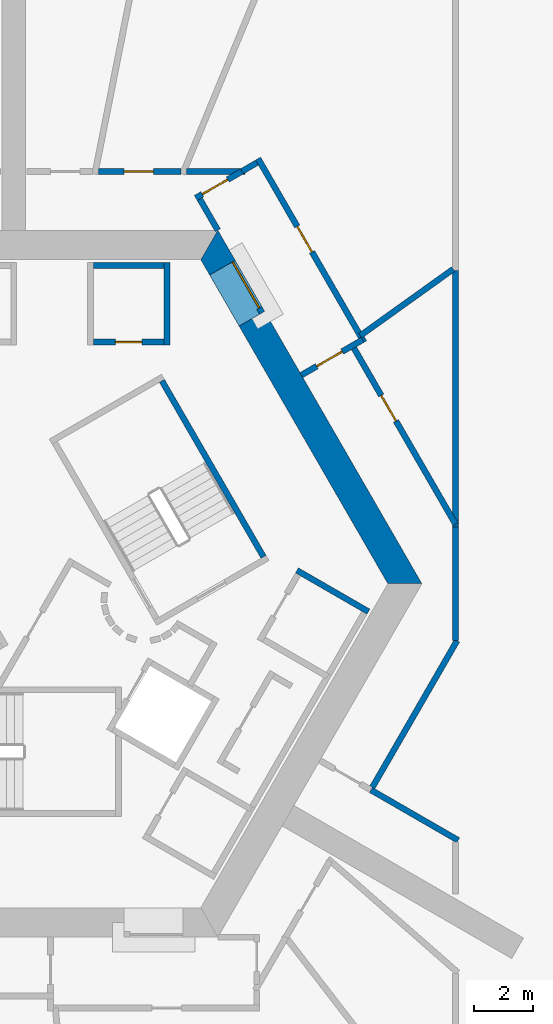
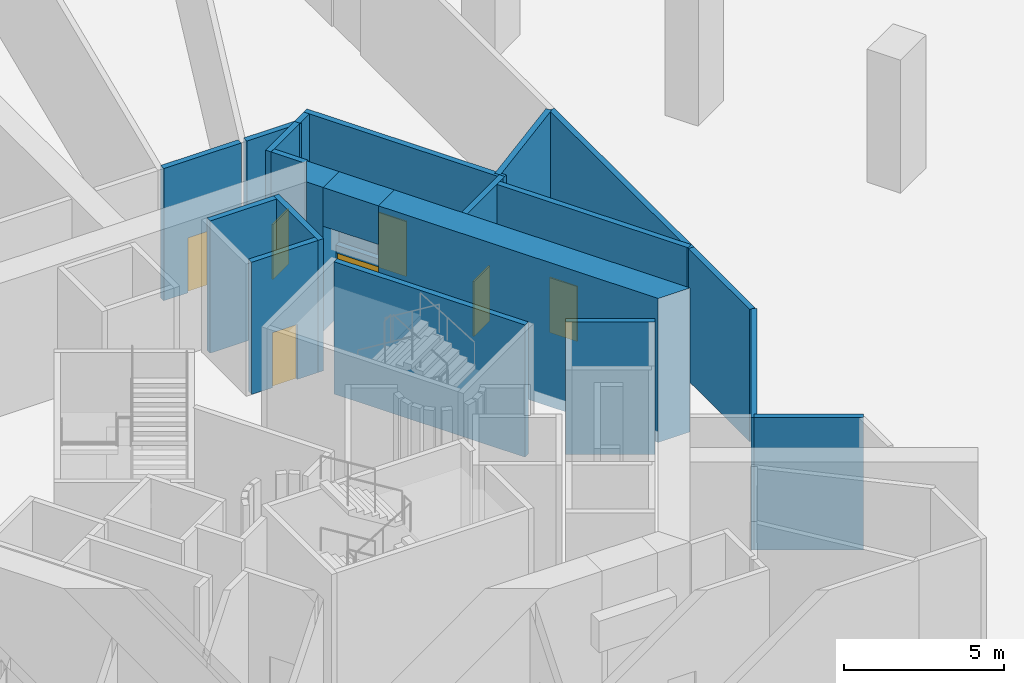
# One storey, part 6 of 12: 22 walls, 7 doors, 7 openings.
"""IFC4 building model written with IfcOpenShell, lengths in metres."""

from ifc_helpers import new_model, si_unit, direction, frame, frame_2d, origin, place, context, subcontext, project, spatial, polyline, rectangle, outline, extrude, material, layer, layer_set, type_object, element, fill, save


model = new_model("IFC4")

# Units and contexts
model_context = context("Model", 3, precision=1e-05, world=origin(), true_north=direction((0.0, 1.0)))
body_context = subcontext(model_context, "Body", "Model", "MODEL_VIEW")
ifc_project = project(units=[si_unit("LENGTHUNIT", "METRE"), si_unit("AREAUNIT", "SQUARE_METRE"), si_unit("VOLUMEUNIT", "CUBIC_METRE"), si_unit("PLANEANGLEUNIT", "RADIAN"), si_unit("MASSUNIT", "GRAM", prefix="KILO")], contexts=[model_context])

# Site, building, storey
site_placement = place(None, origin())
site = spatial("IfcSite", under=ifc_project, at=site_placement, CompositionType="ELEMENT")
building_placement = place(site_placement, origin())
building = spatial("IfcBuilding", under=site, at=building_placement, Name="Entoto Arch Interchange Tower", CompositionType="ELEMENT")
storey_placement = place(building_placement, frame((0.0, 0.0, -11.0)))
storey = spatial("IfcBuildingStorey", under=building, at=storey_placement, Name="B2", CompositionType="ELEMENT", Elevation=-11.0)

# Wall, opening, door
ifc_material_1 = material(Name="Reinforced concrete C40/50", Category="concrete")
ifc_layer_1 = layer(ifc_material_1, 0.199951171875)
ifc_layer_set_1 = layer_set([ifc_layer_1], Name="Reinforced concrete C40/50")
wall_type_1 = type_object("IfcWallType", Name="CORE GAP INFILL WALL", PredefinedType="PARTITIONING", material=ifc_layer_set_1)
wall_1_placement = place(storey_placement, frame((8.429931640625, 11.697998046875, 0.0), z_axis=(0.0, 0.0, 1.0), x_axis=(-0.50002537861, 0.866010750942, 0.0)))
wall_1 = element("IfcWall", 1, at=wall_1_placement, inside=storey, type_object=wall_type_1, Name="wall:B2:gap2", PredefinedType="PARTITIONING", context=body_context, shape_type="SweptSolid", body=[
    extrude(rectangle(XDim=2.0, YDim=0.199951171875, at=frame_2d((1.0, 0.0))), origin(), (0.0, 0.0, 1.0), 2.39990234375),
])
opening_1_placement = place(wall_1_placement, frame((0.18994140625, 0.0, 0.0)))
opening_1 = element("IfcOpeningElement", 2, at=opening_1_placement, cuts=wall_1, Name="Opening B2-D92", PredefinedType="OPENING", context=body_context, shape_type="SweptSolid", body=[
    extrude(rectangle(XDim=1.800048828125, YDim=2.10009765625, at=frame_2d((0.89990234375, 1.050048828125))), frame((0.0, 0.10986328125, 0.0), z_axis=(0.0, -1.0, 0.0), x_axis=(1.0, 0.0, 0.0)), (0.0, 0.0, 1.0), 0.219970703125),
])
ifc_material_2 = material(Name="Fire-rated Steel S235 door and frame", Category="steel")
door_type_1 = type_object("IfcDoorType", Name="DOOR FD-18 1800x2100", OperationType="DOUBLE_DOOR_SINGLE_SWING", PredefinedType="DOOR", material=ifc_material_2)
door_1_placement = place(opening_1_placement, origin())
door_1 = element("IfcDoor", 3, at=door_1_placement, inside=storey, type_object=door_type_1, Name="door:B2:gap2", OperationType="DOUBLE_DOOR_SINGLE_SWING", OverallHeight=2.10009765625, OverallWidth=1.800048828125, PredefinedType="DOOR", context=body_context, shape_type="SweptSolid", body=[
    extrude(rectangle(XDim=1.800048828125, YDim=2.10009765625, at=frame_2d((0.89990234375, 1.050048828125))), frame((0.0, 0.02490234375, 0.0), z_axis=(0.0, -1.0, 0.0), x_axis=(1.0, 0.0, 0.0)), (0.0, 0.0, 1.0), 0.050048828125),
])
fill(opening_1, door_1)

# Walls
ifc_material_3 = material(Name="Concrete C60/75", Category="concrete")
ifc_layer_2 = layer(ifc_material_3, 1.0)
ifc_layer_set_2 = layer_set([ifc_layer_2], Name="Concrete C60/75")
wall_type_2 = type_object("IfcWallType", Name="Core wall 1000 C60/75", PredefinedType="SHEAR", material=ifc_layer_set_2)
wall_2_placement = place(storey_placement, frame((0.0, 0.0, -0.419921875)))
element("IfcWall", 4, at=wall_2_placement, inside=storey, type_object=wall_type_2, Name="Core wall NE B2", PredefinedType="SHEAR", context=body_context, shape_type="SweptSolid", body=[
    extrude(outline(polyline([(8.51708984375, 11.748046875), (7.65087890625, 11.248046875), (12.701904296875, 2.5), (13.85595703125, 2.5), (8.51708984375, 11.748046875)])), origin(), (0.0, 0.0, 1.0), 5.5),
])
wall_3_placement = place(storey_placement, frame((0.0, 0.0, -0.419921875)))
element("IfcWall", 5, at=wall_3_placement, inside=storey, type_object=wall_type_2, Name="Core wall NE B2", PredefinedType="SHEAR", context=body_context, shape_type="SweptSolid", body=[
    extrude(outline(polyline([(6.65087890625, 12.97998046875), (7.51708984375, 13.47998046875), (6.927978515625, 14.5), (6.35107421875, 13.5), (6.65087890625, 12.97998046875)])), origin(), (0.0, 0.0, 1.0), 5.5),
])
wall_4_placement = place(storey_placement, frame((0.0, 0.0, 3.60009765625)))
element("IfcWall", 6, at=wall_4_placement, inside=storey, type_object=wall_type_2, Name="Core wall lintel NE B2", PredefinedType="SHEAR", context=body_context, shape_type="SweptSolid", body=[
    extrude(outline(polyline([(7.51708984375, 13.47998046875), (6.65087890625, 12.97998046875), (7.65087890625, 11.248046875), (8.51708984375, 11.748046875), (7.51708984375, 13.47998046875)])), origin(), (0.0, 0.0, 1.0), 1.47998046875),
])
ifc_material_4 = material(Name="Gypsum board partition on steel studs", Category="steel")
ifc_layer_3 = layer(ifc_material_4, 0.199951171875)
ifc_layer_set_3 = layer_set([ifc_layer_3], Name="Gypsum board partition on steel studs")
wall_type_3 = type_object("IfcWallType", Name="PARTITION 200", PredefinedType="PARTITIONING", material=ifc_layer_set_3)
wall_5_placement = place(storey_placement, frame((12.1240234375, -4.5, 0.0), z_axis=(0.0, 0.0, 1.0), x_axis=(0.866109535743, -0.499854250852, 0.0)))
element("IfcWall", 7, at=wall_5_placement, inside=storey, type_object=wall_type_3, Name="wall:B2:p027", PredefinedType="PARTITIONING", context=body_context, shape_type="SweptSolid", body=[
    extrude(rectangle(XDim=3.4208984375, YDim=0.199951171875, at=frame_2d((1.71044921875, 0.0))), origin(), (0.0, 0.0, 1.0), 5.050048828125),
])

# Wall, opening, door
wall_6_placement = place(storey_placement, frame((11.844970703125, 10.782958984375, 0.0), z_axis=(0.0, 0.0, 1.0), x_axis=(-0.865973769406, -0.500089422704, 0.0)))
wall_6 = element("IfcWall", 8, at=wall_6_placement, inside=storey, type_object=wall_type_3, Name="wall:B2:p029", PredefinedType="PARTITIONING", context=body_context, shape_type="SweptSolid", body=[
    extrude(rectangle(XDim=2.3994140625, YDim=0.199951171875, at=frame_2d((1.19970703125, 0.0))), origin(), (0.0, 0.0, 1.0), 5.050048828125),
])
opening_2_placement = place(wall_6_placement, frame((0.800048828125, 0.0, 0.0)))
opening_2 = element("IfcOpeningElement", 9, at=opening_2_placement, cuts=wall_6, Name="Opening B2-D07", PredefinedType="OPENING", context=body_context, shape_type="SweptSolid", body=[
    extrude(rectangle(XDim=1.0, YDim=2.10009765625, at=frame_2d((0.5, 1.050048828125))), frame((0.0, 0.10986328125, 0.0), z_axis=(0.0, -1.0, 0.0), x_axis=(1.0, 0.0, 0.0)), (0.0, 0.0, 1.0), 0.219970703125),
])
door_type_2 = type_object("IfcDoorType", Name="DOOR FD-10 1000x2100", OperationType="SINGLE_SWING_LEFT", PredefinedType="DOOR", material=ifc_material_2)
door_2_placement = place(opening_2_placement, origin())
door_2 = element("IfcDoor", 10, at=door_2_placement, inside=storey, type_object=door_type_2, Name="door:B2:07", OperationType="SINGLE_SWING_LEFT", OverallHeight=2.10009765625, OverallWidth=1.0, PredefinedType="DOOR", context=body_context, shape_type="SweptSolid", body=[
    extrude(rectangle(XDim=1.0, YDim=2.10009765625, at=frame_2d((0.5, 1.050048828125))), frame((0.0, 0.02490234375, 0.0), z_axis=(0.0, -1.0, 0.0), x_axis=(1.0, 0.0, 0.0)), (0.0, 0.0, 1.0), 0.050048828125),
])
fill(opening_2, door_2)

wall_7_placement = place(storey_placement, frame((6.179931640625, 15.594970703125, 0.0), z_axis=(0.0, 0.0, 1.0), x_axis=(0.866102512622, 0.499866419787, 0.0)))
wall_7 = element("IfcWall", 11, at=wall_7_placement, inside=storey, type_object=wall_type_3, Name="wall:B2:p030", PredefinedType="PARTITIONING", context=body_context, shape_type="SweptSolid", body=[
    extrude(rectangle(XDim=1.810546875, YDim=0.199951171875, at=frame_2d((0.9052734375, 0.0))), origin(), (0.0, 0.0, 1.0), 5.050048828125),
])
opening_3_placement = place(wall_7_placement, frame((0.25390625, 0.0, 0.0)))
opening_3 = element("IfcOpeningElement", 12, at=opening_3_placement, cuts=wall_7, Name="Opening B2-D08", PredefinedType="OPENING", context=body_context, shape_type="SweptSolid", body=[
    extrude(rectangle(XDim=1.0, YDim=2.10009765625, at=frame_2d((0.5, 1.050048828125))), frame((0.0, 0.10986328125, 0.0), z_axis=(0.0, -1.0, 0.0), x_axis=(1.0, 0.0, 0.0)), (0.0, 0.0, 1.0), 0.219970703125),
])
door_3_placement = place(opening_3_placement, origin())
door_3 = element("IfcDoor", 13, at=door_3_placement, inside=storey, type_object=door_type_2, Name="door:B2:08", OperationType="SINGLE_SWING_RIGHT", OverallHeight=2.10009765625, OverallWidth=1.0, PredefinedType="DOOR", context=body_context, shape_type="SweptSolid", body=[
    extrude(rectangle(XDim=1.0, YDim=2.10009765625, at=frame_2d((0.5, 1.050048828125))), frame((0.0, 0.02490234375, 0.0), z_axis=(0.0, -1.0, 0.0), x_axis=(1.0, 0.0, 0.0)), (0.0, 0.0, 1.0), 0.050048828125),
])
fill(opening_3, door_3)

# Wall
wall_8_placement = place(storey_placement, frame((6.31689453125, 15.55810546875, 0.0), z_axis=(0.0, 0.0, 1.0), x_axis=(0.500114474492, -0.865959301817, 0.0)))
element("IfcWall", 14, at=wall_8_placement, inside=storey, type_object=wall_type_3, Name="wall:B2:p031", PredefinedType="PARTITIONING", context=body_context, shape_type="SweptSolid", body=[
    extrude(rectangle(XDim=1.221923828125, YDim=0.199951171875, at=frame_2d((0.61083984375, 0.0))), origin(), (0.0, 0.0, 1.0), 5.050048828125),
])

# Wall, opening, door
wall_9_placement = place(storey_placement, frame((8.294921875, 16.931884765625, 0.0), z_axis=(0.0, 0.0, 1.0), x_axis=(0.499982693035, -0.866035395735, 0.0)))
wall_9 = element("IfcWall", 15, at=wall_9_placement, inside=storey, type_object=wall_type_3, Name="wall:B2:p032", PredefinedType="PARTITIONING", context=body_context, shape_type="SweptSolid", body=[
    extrude(rectangle(XDim=7.200439453125, YDim=0.199951171875, at=frame_2d((3.60009765625, 0.0))), origin(), (0.0, 0.0, 1.0), 5.050048828125),
])
opening_4_placement = place(wall_9_placement, frame((2.658935546875, 0.0, 0.0)))
opening_4 = element("IfcOpeningElement", 16, at=opening_4_placement, cuts=wall_9, Name="Opening B2-D09", PredefinedType="OPENING", context=body_context, shape_type="SweptSolid", body=[
    extrude(rectangle(XDim=1.0, YDim=2.10009765625, at=frame_2d((0.5, 1.050048828125))), frame((0.0, 0.10986328125, 0.0), z_axis=(0.0, -1.0, 0.0), x_axis=(1.0, 0.0, 0.0)), (0.0, 0.0, 1.0), 0.219970703125),
])
door_4_placement = place(opening_4_placement, origin())
door_4 = element("IfcDoor", 17, at=door_4_placement, inside=storey, type_object=door_type_2, Name="door:B2:09", OperationType="SINGLE_SWING_LEFT", OverallHeight=2.10009765625, OverallWidth=1.0, PredefinedType="DOOR", context=body_context, shape_type="SweptSolid", body=[
    extrude(rectangle(XDim=1.0, YDim=2.10009765625, at=frame_2d((0.5, 1.050048828125))), frame((0.0, 0.02490234375, 0.0), z_axis=(0.0, -1.0, 0.0), x_axis=(1.0, 0.0, 0.0)), (0.0, 0.0, 1.0), 0.050048828125),
])
fill(opening_4, door_4)

# Wall
wall_10_placement = place(storey_placement, frame((7.748046875, 16.5, 0.0), z_axis=(0.0, 0.0, 1.0), x_axis=(0.865681519127, 0.500595153234, 0.0)))
element("IfcWall", 18, at=wall_10_placement, inside=storey, type_object=wall_type_3, Name="wall:B2:p033", PredefinedType="PARTITIONING", context=body_context, shape_type="SweptSolid", body=[
    extrude(rectangle(XDim=0.589111328125, YDim=0.199951171875, at=frame_2d((0.29443359375, 0.0))), origin(), (0.0, 0.0, 1.0), 5.050048828125),
])

# Wall, opening, door
wall_11_placement = place(storey_placement, frame((11.4990234375, 10.5830078125, 0.0), z_axis=(0.0, 0.0, 1.0), x_axis=(0.499994090379, -0.866028815679, 0.0)))
wall_11 = element("IfcWall", 19, at=wall_11_placement, inside=storey, type_object=wall_type_3, Name="wall:B2:p034", PredefinedType="PARTITIONING", context=body_context, shape_type="SweptSolid", body=[
    extrude(rectangle(XDim=7.001953125, YDim=0.199951171875, at=frame_2d((3.5009765625, 0.0))), origin(), (0.0, 0.0, 1.0), 5.050048828125),
])
opening_5_placement = place(wall_11_placement, frame((1.951904296875, 0.0, 0.0)))
opening_5 = element("IfcOpeningElement", 20, at=opening_5_placement, cuts=wall_11, Name="Opening B2-D10", PredefinedType="OPENING", context=body_context, shape_type="SweptSolid", body=[
    extrude(rectangle(XDim=1.0, YDim=2.10009765625, at=frame_2d((0.5, 1.050048828125))), frame((0.0, 0.10986328125, 0.0), z_axis=(0.0, -1.0, 0.0), x_axis=(1.0, 0.0, 0.0)), (0.0, 0.0, 1.0), 0.219970703125),
])
door_5_placement = place(opening_5_placement, origin())
door_5 = element("IfcDoor", 21, at=door_5_placement, inside=storey, type_object=door_type_2, Name="door:B2:10", OperationType="SINGLE_SWING_RIGHT", OverallHeight=2.10009765625, OverallWidth=1.0, PredefinedType="DOOR", context=body_context, shape_type="SweptSolid", body=[
    extrude(rectangle(XDim=1.0, YDim=2.10009765625, at=frame_2d((0.5, 1.050048828125))), frame((0.0, 0.02490234375, 0.0), z_axis=(0.0, -1.0, 0.0), x_axis=(1.0, 0.0, 0.0)), (0.0, 0.0, 1.0), 0.050048828125),
])
fill(opening_5, door_5)

# Walls
wall_12_placement = place(storey_placement, frame((15.0, 4.4189453125, 0.0), z_axis=(0.0, 0.0, 1.0), x_axis=(0.0, -1.0, 0.0)))
element("IfcWall", 22, at=wall_12_placement, inside=storey, type_object=wall_type_3, Name="wall:B2:p035", PredefinedType="PARTITIONING", context=body_context, shape_type="SweptSolid", body=[
    extrude(rectangle(XDim=3.837890625, YDim=0.199951171875, at=frame_2d((1.9189453125, 0.0))), origin(), (0.0, 0.0, 1.0), 5.050048828125),
])
wall_13_placement = place(storey_placement, frame((15.050048828125, 0.568115234375, 0.0), z_axis=(0.0, 0.0, 1.0), x_axis=(-0.500047946832, -0.865997719899, 0.0)))
element("IfcWall", 23, at=wall_13_placement, inside=storey, type_object=wall_type_3, Name="wall:B2:p036", PredefinedType="PARTITIONING", context=body_context, shape_type="SweptSolid", body=[
    extrude(rectangle(XDim=5.95166015625, YDim=0.199951171875, at=frame_2d((2.975830078125, 0.0))), origin(), (0.0, 0.0, 1.0), 5.050048828125),
])
wall_14_placement = place(storey_placement, frame((5.87109375, 16.5, 0.0), z_axis=(0.0, 0.0, 1.0), x_axis=(1.0, 0.0, 0.0)))
element("IfcWall", 24, at=wall_14_placement, inside=storey, type_object=wall_type_3, Name="wall:B2:p037", PredefinedType="PARTITIONING", context=body_context, shape_type="SweptSolid", body=[
    extrude(rectangle(XDim=1.976806640625, YDim=0.199951171875, at=frame_2d((0.98828125, 0.0))), origin(), (0.0, 0.0, 1.0), 5.050048828125),
])

# Wall, opening, door
wall_15_placement = place(storey_placement, frame((2.8720703125, 16.5, 0.0), z_axis=(0.0, 0.0, 1.0), x_axis=(1.0, 0.0, 0.0)))
wall_15 = element("IfcWall", 25, at=wall_15_placement, inside=storey, type_object=wall_type_3, Name="wall:B2:p038", PredefinedType="PARTITIONING", context=body_context, shape_type="SweptSolid", body=[
    extrude(rectangle(XDim=2.798828125, YDim=0.199951171875, at=frame_2d((1.3994140625, 0.0))), origin(), (0.0, 0.0, 1.0), 5.050048828125),
])
opening_6_placement = place(wall_15_placement, frame((0.87109375, 0.0, 0.0)))
opening_6 = element("IfcOpeningElement", 26, at=opening_6_placement, cuts=wall_15, Name="Opening B2-D11", PredefinedType="OPENING", context=body_context, shape_type="SweptSolid", body=[
    extrude(rectangle(XDim=1.0, YDim=2.10009765625, at=frame_2d((0.5, 1.050048828125))), frame((0.0, 0.10986328125, 0.0), z_axis=(0.0, -1.0, 0.0), x_axis=(1.0, 0.0, 0.0)), (0.0, 0.0, 1.0), 0.219970703125),
])
door_6_placement = place(opening_6_placement, origin())
door_6 = element("IfcDoor", 27, at=door_6_placement, inside=storey, type_object=door_type_2, Name="door:B2:11", OperationType="SINGLE_SWING_LEFT", OverallHeight=2.10009765625, OverallWidth=1.0, PredefinedType="DOOR", context=body_context, shape_type="SweptSolid", body=[
    extrude(rectangle(XDim=1.0, YDim=2.10009765625, at=frame_2d((0.5, 1.050048828125))), frame((0.0, 0.02490234375, 0.0), z_axis=(0.0, -1.0, 0.0), x_axis=(1.0, 0.0, 0.0)), (0.0, 0.0, 1.0), 0.050048828125),
])
fill(opening_6, door_6)

# Walls
wall_16_placement = place(storey_placement, frame((14.9189453125, 13.179931640625, 0.0), z_axis=(0.0, 0.0, 1.0), x_axis=(-0.81313339858, -0.582077379833, 0.0)))
element("IfcWall", 28, at=wall_16_placement, inside=storey, type_object=wall_type_3, Name="wall:B2:p040", PredefinedType="PARTITIONING", context=body_context, shape_type="SweptSolid", body=[
    extrude(rectangle(XDim=3.87890625, YDim=0.199951171875, at=frame_2d((1.939453125, 0.0))), origin(), (0.0, 0.0, 1.0), 5.050048828125),
])
wall_17_placement = place(storey_placement, frame((15.0, 13.137939453125, 0.0), z_axis=(0.0, 0.0, 1.0), x_axis=(0.0, -1.0, 0.0)))
element("IfcWall", 29, at=wall_17_placement, inside=storey, type_object=wall_type_3, Name="wall:B2:p044", PredefinedType="PARTITIONING", context=body_context, shape_type="SweptSolid", body=[
    extrude(rectangle(XDim=8.718994140625, YDim=0.199951171875, at=frame_2d((4.359375, 0.0))), origin(), (0.0, 0.0, 1.0), 5.050048828125),
])
wall_18_placement = place(storey_placement, frame((5.199951171875, 13.39990234375, 0.0), z_axis=(0.0, 0.0, 1.0), x_axis=(0.0, -1.0, 0.0)))
element("IfcWall", 30, at=wall_18_placement, inside=storey, type_object=wall_type_3, Name="wall:B2:p069", PredefinedType="PARTITIONING", context=body_context, shape_type="SweptSolid", body=[
    extrude(rectangle(XDim=2.7998046875, YDim=0.199951171875, at=frame_2d((1.39990234375, 0.0))), origin(), (0.0, 0.0, 1.0), 5.050048828125),
])

# Wall, opening, door
wall_19_placement = place(storey_placement, frame((5.10009765625, 10.699951171875, 0.0), z_axis=(0.0, 0.0, 1.0), x_axis=(-1.0, 0.0, 0.0)))
wall_19 = element("IfcWall", 31, at=wall_19_placement, inside=storey, type_object=wall_type_3, Name="wall:B2:p070", PredefinedType="PARTITIONING", context=body_context, shape_type="SweptSolid", body=[
    extrude(rectangle(XDim=2.400146484375, YDim=0.199951171875, at=frame_2d((1.2001953125, 0.0))), origin(), (0.0, 0.0, 1.0), 5.050048828125),
])
opening_7_placement = place(wall_19_placement, frame((0.75, 0.0, 0.0)))
opening_7 = element("IfcOpeningElement", 32, at=opening_7_placement, cuts=wall_19, Name="Opening B2-D25", PredefinedType="OPENING", context=body_context, shape_type="SweptSolid", body=[
    extrude(rectangle(XDim=0.89990234375, YDim=2.10009765625, at=frame_2d((0.449951171875, 1.050048828125))), frame((0.0, 0.10986328125, 0.0), z_axis=(0.0, -1.0, 0.0), x_axis=(1.0, 0.0, 0.0)), (0.0, 0.0, 1.0), 0.219970703125),
])
ifc_material_5 = material(Name="Timber door leaf in Steel S235 frame", Category="steel")
door_type_3 = type_object("IfcDoorType", Name="DOOR DS-09 900x2100", OperationType="SINGLE_SWING_LEFT", PredefinedType="DOOR", material=ifc_material_5)
door_7_placement = place(opening_7_placement, origin())
door_7 = element("IfcDoor", 33, at=door_7_placement, inside=storey, type_object=door_type_3, Name="door:B2:25", OperationType="SINGLE_SWING_RIGHT", OverallHeight=2.10009765625, OverallWidth=0.89990234375, PredefinedType="DOOR", context=body_context, shape_type="SweptSolid", body=[
    extrude(rectangle(XDim=0.89990234375, YDim=2.10009765625, at=frame_2d((0.449951171875, 1.050048828125))), frame((0.0, 0.02490234375, 0.0), z_axis=(0.0, -1.0, 0.0), x_axis=(1.0, 0.0, 0.0)), (0.0, 0.0, 1.0), 0.050048828125),
])
fill(opening_7, door_7)

# Walls
wall_20_placement = place(storey_placement, frame((2.699951171875, 13.300048828125, 0.0), z_axis=(0.0, 0.0, 1.0), x_axis=(1.0, 0.0, 0.0)))
element("IfcWall", 34, at=wall_20_placement, inside=storey, type_object=wall_type_3, Name="wall:B2:p072", PredefinedType="PARTITIONING", context=body_context, shape_type="SweptSolid", body=[
    extrude(rectangle(XDim=2.400146484375, YDim=0.199951171875, at=frame_2d((1.2001953125, 0.0))), origin(), (0.0, 0.0, 1.0), 5.050048828125),
])
wall_21_placement = place(storey_placement, frame((9.614990234375, 2.952880859375, 0.0), z_axis=(0.0, 0.0, 1.0), x_axis=(0.866056369097, -0.49994636267, 0.0)))
element("IfcWall", 35, at=wall_21_placement, inside=storey, type_object=wall_type_3, Name="wall:B2:p088", PredefinedType="PARTITIONING", context=body_context, shape_type="SweptSolid", body=[
    extrude(rectangle(XDim=2.800048828125, YDim=0.199951171875, at=frame_2d((1.39990234375, 0.0))), origin(), (0.0, 0.0, 1.0), 5.050048828125),
])
ifc_material_6 = material(Name="Concrete C40/50", Category="concrete")
ifc_layer_4 = layer(ifc_material_6, 0.199951171875)
ifc_layer_set_4 = layer_set([ifc_layer_4], Name="Concrete C40/50")
wall_type_4 = type_object("IfcWallType", Name="STAIR ENCLOSURE WALL 200", PredefinedType="STANDARD", material=ifc_layer_set_4)
wall_22_placement = place(storey_placement, frame((8.47998046875, 3.412109375, 0.0), z_axis=(0.0, 0.0, 1.0), x_axis=(-0.499978703459, 0.866037698999, 0.0)))
element("IfcWall", 36, at=wall_22_placement, inside=storey, type_object=wall_type_4, Name="Stair wall ST-NE back", PredefinedType="STANDARD", context=body_context, shape_type="SweptSolid", body=[
    extrude(rectangle(XDim=6.900146484375, YDim=0.199951171875, at=frame_2d((3.4501953125, 0.0))), origin(), (0.0, 0.0, 1.0), 5.050048828125),
])

save(model, "model.ifc")
